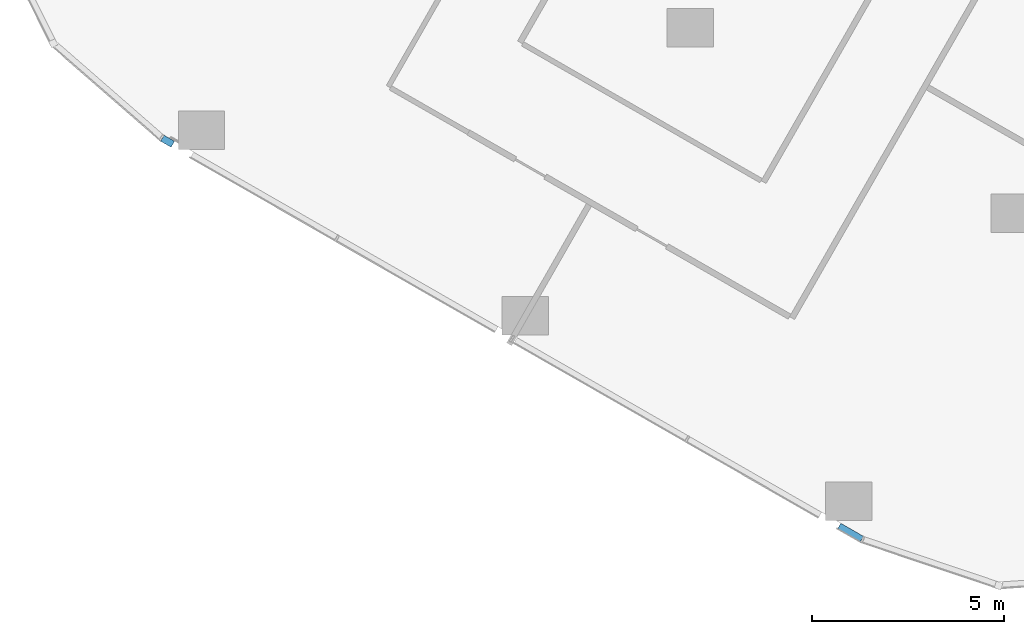
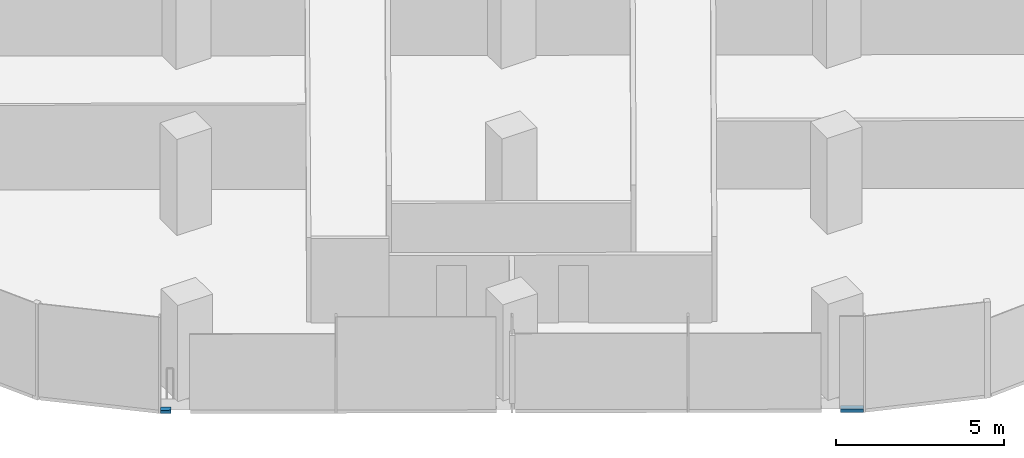
# One storey, part 16 of 35: 2 members, 1 element without a shape of its own.
"""IFC4 building model written with IfcOpenShell, lengths in metres."""

import ifcopenshell
import ifcopenshell.guid

model = None  # the IFC model being written
_history = None  # IfcOwnerHistory: only IFC2X3 demands one
_inside = {}  # id of a spatial element -> (the spatial element, [elements in it])
_under = {}  # id of a project, library or spatial element -> (it, [spatial elements below it])
_declared = {}  # id of a project -> (the project, [libraries it declares])
_typed = {}  # id of a type object -> (the type object, [elements of that type])
_made_of = {}  # id of a material, layer set ... -> (it, [elements and type objects made of it])


def new_model(schema):
    """Start an empty IFC model of exactly this schema.

    Asked for "IFC4X3", IfcOpenShell would pick the latest addendum, in which some entities
    have other attributes; the version numbers below select the first issue.
    IFC2X3 requires an IfcOwnerHistory on every rooted entity: one is made here for all.
    """
    global model, _history
    if schema == "IFC4X3":
        model = ifcopenshell.file(schema_version=(4, 3, 0, 0))
    else:
        model = ifcopenshell.file(schema=schema)
    _inside.clear()
    _under.clear()
    _declared.clear()
    _typed.clear()
    _made_of.clear()
    _history = None
    if model.schema == "IFC2X3":
        org = make("IfcOrganization", Name="unknown")
        user = make(
            "IfcPersonAndOrganization",
            ThePerson=make("IfcPerson", FamilyName="unknown"),
            TheOrganization=org,
        )
        app = make(
            "IfcApplication",
            ApplicationDeveloper=org,
            Version="unknown",
            ApplicationFullName="unknown",
            ApplicationIdentifier="unknown",
        )
        _history = make(
            "IfcOwnerHistory",
            OwningUser=user,
            OwningApplication=app,
            ChangeAction="ADDED",
            CreationDate=0,
        )
    return model


def make(cls, **values):
    """One entity of the class cls with the attributes given. An attribute that is None is left unset."""
    return model.create_entity(
        cls, **{name: value for name, value in values.items() if value is not None}
    )


def rooted(cls, **values):
    """An entity with a GlobalId (a new one), such as an element, a storey or a relation."""
    return make(cls, GlobalId=ifcopenshell.guid.new(), OwnerHistory=_history, **values)


def si_unit(unit_type, name, prefix=None):
    """IfcSIUnit, for example si_unit("LENGTHUNIT", "METRE", prefix="MILLI")."""
    return make("IfcSIUnit", UnitType=unit_type, Prefix=prefix, Name=name)


def assignment(units):
    """IfcUnitAssignment: the units of a project."""
    return None if units is None else make("IfcUnitAssignment", Units=units)


def point(xyz):
    """IfcCartesianPoint."""
    return None if xyz is None else make("IfcCartesianPoint", Coordinates=xyz)


def direction(xyz):
    """IfcDirection."""
    return None if xyz is None else make("IfcDirection", DirectionRatios=xyz)


def frame(location, z_axis=None, x_axis=None):
    """IfcAxis2Placement3D, a coordinate frame: its origin and axes. An axis left out is left unset."""
    return make(
        "IfcAxis2Placement3D",
        Location=point(location),
        Axis=direction(z_axis),
        RefDirection=direction(x_axis),
    )


def frame_2d(location, x_axis=None):
    """IfcAxis2Placement2D, a coordinate frame in the plane: its origin and x axis."""
    return make(
        "IfcAxis2Placement2D", Location=point(location), RefDirection=direction(x_axis)
    )


def origin():
    """The frame at (0, 0, 0) with its axes left unset."""
    return frame((0.0, 0.0, 0.0))


def origin_2d():
    """The frame at (0, 0) in the plane with its x axis left unset."""
    return frame_2d((0.0, 0.0))


def place(relative_to, where):
    """IfcLocalPlacement: puts the frame where relative to a parent placement (None: the world)."""
    return make(
        "IfcLocalPlacement", PlacementRelTo=relative_to, RelativePlacement=where
    )


def context(
    kind, dimensions, precision=None, world=None, true_north=None, identifier=None
):
    """IfcGeometricRepresentationContext, for example the 3D "Model" context."""
    return make(
        "IfcGeometricRepresentationContext",
        ContextIdentifier=identifier,
        ContextType=kind,
        CoordinateSpaceDimension=dimensions,
        Precision=precision,
        WorldCoordinateSystem=world,
        TrueNorth=true_north,
    )


def subcontext(parent, identifier, kind, view, scale=None):
    """IfcGeometricRepresentationSubContext, for example "Body" below "Model"."""
    return make(
        "IfcGeometricRepresentationSubContext",
        ContextIdentifier=identifier,
        ContextType=kind,
        ParentContext=parent,
        TargetScale=scale,
        TargetView=view,
    )


def project(units=None, contexts=None):
    """IfcProject with its units and contexts."""
    return rooted(
        "IfcProject",
        Name="project",
        RepresentationContexts=contexts,
        UnitsInContext=assignment(units),
    )


def spatial(cls, under=None, at=None, **own):
    """A site, building, storey or space (cls), placed at a placement, below another one or the project."""
    s = rooted(cls, ObjectPlacement=at, **own)
    if under is not None:
        _under.setdefault(under.id(), (under, []))[1].append(s)
    return s


def profile(cls, at=None, kind="AREA", **sizes):
    """A parametric profile (cls). Its sizes go by their IFC names, for example OverallWidth=200.0."""
    return make(cls, ProfileType=kind, Position=at, **sizes)


def rectangle(**sizes):
    """IfcRectangleProfileDef."""
    return profile("IfcRectangleProfileDef", **sizes)


def extrude(swept, where, along, depth):
    """IfcExtrudedAreaSolid: the profile swept, set in the frame where, extruded along a direction by depth."""
    return make(
        "IfcExtrudedAreaSolid",
        SweptArea=swept,
        Position=where,
        ExtrudedDirection=direction(along),
        Depth=depth,
    )


def shape(context_of_items, identifier, shape_type, items):
    """IfcShapeRepresentation: the items that make up one representation, for example the "Body"."""
    return make(
        "IfcShapeRepresentation",
        ContextOfItems=context_of_items,
        RepresentationIdentifier=identifier,
        RepresentationType=shape_type,
        Items=items,
    )


def material(Name=None, Category=None):
    """IfcMaterial."""
    return make("IfcMaterial", Name=Name, Category=Category)


def material_profile(
    of_material, cross_section, Name=None, Category=None, Priority=None
):
    """IfcMaterialProfile: a cross section and its material."""
    return make(
        "IfcMaterialProfile",
        Name=Name,
        Material=of_material,
        Profile=cross_section,
        Priority=Priority,
        Category=Category,
    )


def profile_set(profiles, Name=None, composite=None):
    """IfcMaterialProfileSet."""
    return make(
        "IfcMaterialProfileSet",
        Name=Name,
        MaterialProfiles=profiles,
        CompositeProfile=composite,
    )


def made_of(thing, what):
    """Note that an element or type object is made of a material, layer set ...; save() writes the relation."""
    if what is not None:
        _made_of.setdefault(what.id(), (what, []))[1].append(thing)
    return thing


def type_object(cls, material=None, **own):
    """A type object (cls), such as IfcWallType, which elements share."""
    return made_of(rooted(cls, **own), material)


def element(
    cls,
    number,
    at=None,
    inside=None,
    cuts=None,
    type_object=None,
    material=None,
    context=None,
    identifier="Body",
    shape_type=None,
    held_by="IfcProductDefinitionShape",
    body=None,
    shapes=None,
    **own,
):
    """One element of the class cls, such as IfcWall. Its Tag is "e" and its number.

    at: its placement. inside: the storey or other place that contains it. cuts: it is an
    opening in that element (IfcRelVoidsElement). A single representation is given by context,
    identifier, shape_type and body (its items); several are given by shapes. held_by: the class
    of the entity that holds the representations. save() writes the other relations.
    """
    e = rooted(cls, Tag="e%d" % number, ObjectPlacement=at, **own)
    if body is not None:
        shapes = [shape(context, identifier, shape_type, body)]
    if shapes is not None:
        e.Representation = make(held_by, Representations=shapes)
    if inside is not None:
        _inside.setdefault(inside.id(), (inside, []))[1].append(e)
    if cuts is not None:
        rooted(
            "IfcRelVoidsElement", RelatingBuildingElement=cuts, RelatedOpeningElement=e
        )
    if type_object is not None:
        _typed.setdefault(type_object.id(), (type_object, []))[1].append(e)
    return made_of(e, material)


def aggregate(whole, parts):
    """IfcRelAggregates: a whole, such as a stair, and the parts it consists of."""
    return rooted("IfcRelAggregates", RelatingObject=whole, RelatedObjects=parts)


def save(model, path):
    """Write the relations noted so far, then the file.

    IfcRelAggregates (storeys below a building ...), IfcRelContainedInSpatialStructure (elements
    in a storey), IfcRelDefinesByType, IfcRelAssociatesMaterial and IfcRelDeclares: one each for
    every whole, place, type object, material and project.
    """
    for whole, parts in _under.values():
        aggregate(whole, parts)
    for where, things in _inside.values():
        rooted(
            "IfcRelContainedInSpatialStructure",
            RelatedElements=things,
            RelatingStructure=where,
        )
    for kind, things in _typed.values():
        rooted("IfcRelDefinesByType", RelatedObjects=things, RelatingType=kind)
    for what, things in _made_of.values():
        rooted("IfcRelAssociatesMaterial", RelatedObjects=things, RelatingMaterial=what)
    for by, libraries in _declared.values():
        rooted("IfcRelDeclares", RelatingContext=by, RelatedDefinitions=libraries)
    model.write(path)


model = new_model("IFC4")

# Units and contexts
model_context = context("Model", 3, precision=1e-05, world=origin(), true_north=direction((0.0, 1.0)))
body_context = subcontext(model_context, "Body", "Model", "MODEL_VIEW")
ifc_project = project(units=[si_unit("LENGTHUNIT", "METRE"), si_unit("AREAUNIT", "SQUARE_METRE"), si_unit("VOLUMEUNIT", "CUBIC_METRE"), si_unit("PLANEANGLEUNIT", "RADIAN"), si_unit("MASSUNIT", "GRAM", prefix="KILO")], contexts=[model_context])

# Site, building, storey
site_placement = place(None, origin())
site = spatial("IfcSite", under=ifc_project, at=site_placement, CompositionType="ELEMENT")
building_placement = place(site_placement, origin())
building = spatial("IfcBuilding", under=site, at=building_placement, Name="Orlundy Tower", CompositionType="ELEMENT")
storey_placement = place(building_placement, frame((0.0, 0.0, 116.199951171875)))
storey = spatial("IfcBuildingStorey", under=building, at=storey_placement, Name="L29", CompositionType="ELEMENT", Elevation=116.199951171875)

# Curtain wall, members
ifc_material_1 = material(Name="Aluminium bronze anodised", Category="aluminium")
curtain_wall_type = type_object("IfcCurtainWallType", Name="CW1 wall", PredefinedType="NOTDEFINED", material=ifc_material_1)
curtain_wall_placement = place(storey_placement, origin())
curtain_wall = element("IfcCurtainWall", 1, at=curtain_wall_placement, inside=storey, type_object=curtain_wall_type, Name="CW1 run 07", PredefinedType="NOTDEFINED")
ifc_material_2 = material(Name="Aluminium bronze anodised", Category="aluminium")
ifc_material_profile = material_profile(ifc_material_2, rectangle(XDim=0.179931640625, YDim=0.1201171875, at=origin_2d()), Name="CW1 transom 180x120")
ifc_profile_set = profile_set([ifc_material_profile], Name="Aluminium bronze anodised")
member_type = type_object("IfcMemberType", Name="CW1 transom 180x120", PredefinedType="USERDEFINED", material=ifc_profile_set)
member_1_placement = place(storey_placement, frame((-20.5498046875, -56.907958984375, -0.33984375), z_axis=(-0.867534563836, 0.497376899896, 0.0), x_axis=(-0.497376899896, -0.867534563836, 0.0)))
member_1 = element("IfcMember", 2, at=member_1_placement, type_object=member_type, Name="CW1 transom", ObjectType="TRANSOM", PredefinedType="USERDEFINED", context=body_context, shape_type="SweptSolid", body=[
    extrude(rectangle(XDim=0.179931640625, YDim=0.1201171875, at=origin_2d()), origin(), (0.0, 0.0, 1.0), 0.679443359375),
])
member_2_placement = place(storey_placement, frame((-38.466064453125, -46.633544921875, -0.33984375), z_axis=(-0.867333798225, 0.497726915544, 0.0), x_axis=(-0.497726915544, -0.867333798225, 0.0)))
member_2 = element("IfcMember", 3, at=member_2_placement, type_object=member_type, Name="CW1 transom", ObjectType="TRANSOM", PredefinedType="USERDEFINED", context=body_context, shape_type="SweptSolid", body=[
    extrude(rectangle(XDim=0.179931640625, YDim=0.1201171875, at=origin_2d()), origin(), (0.0, 0.0, 1.0), 0.314453125),
])
aggregate(curtain_wall, [member_1, member_2])

save(model, "model.ifc")
